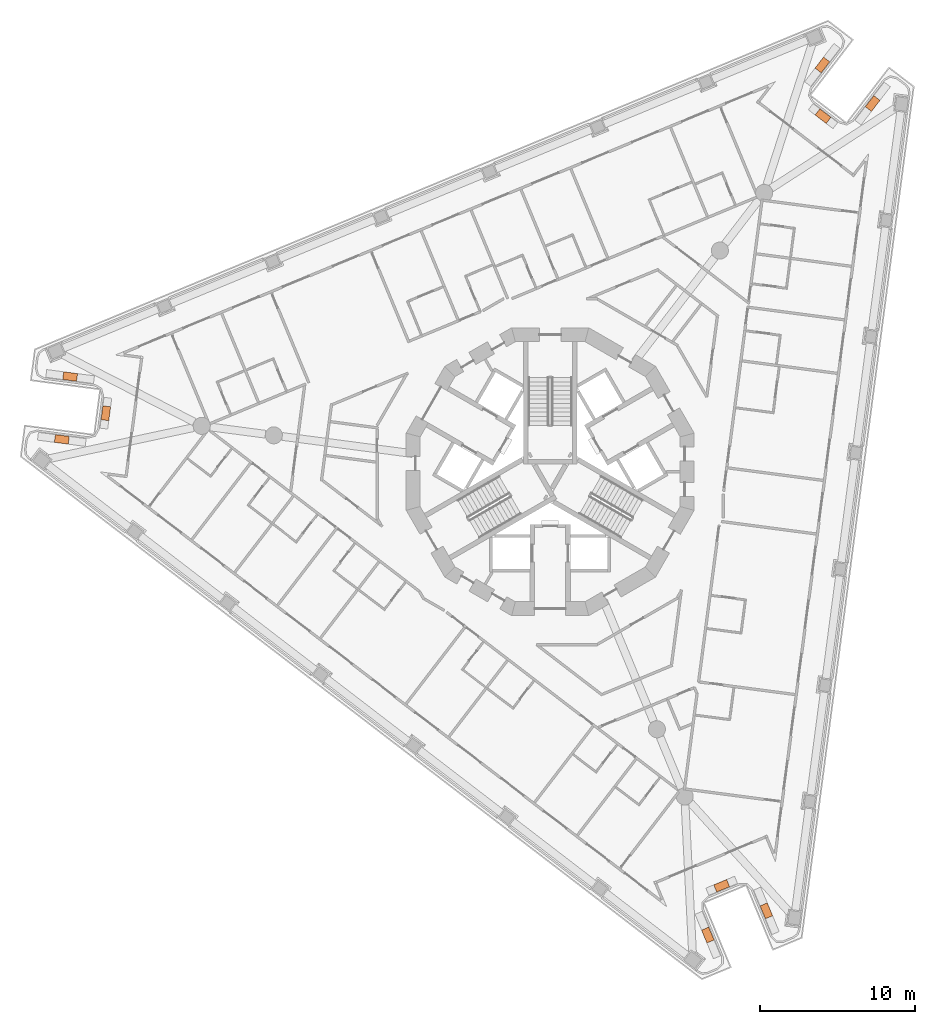
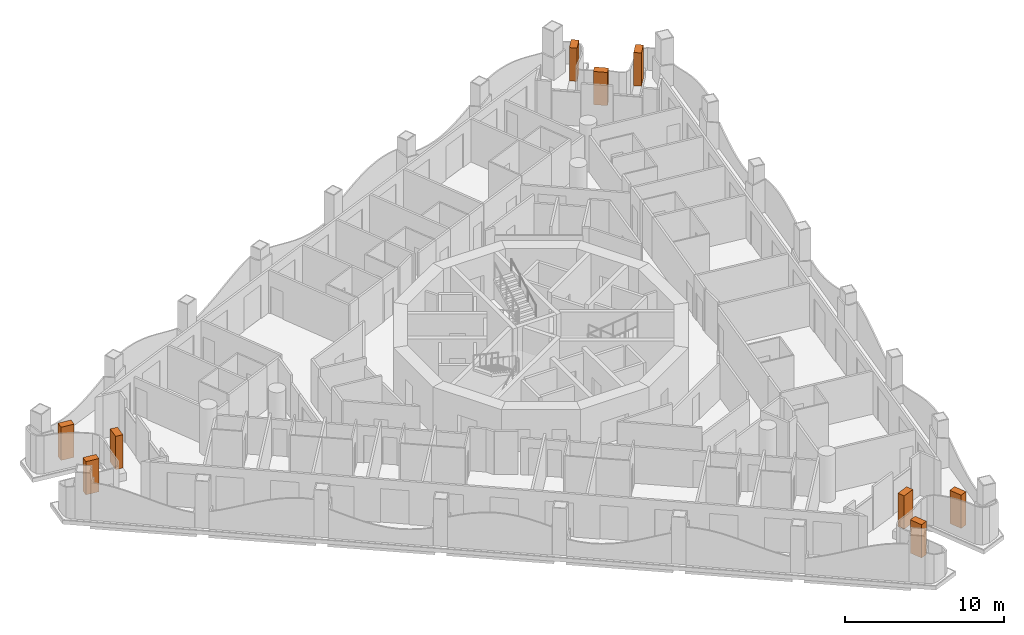
# One storey, part 17 of 17: 9 geographic elements.
"""IFC4 building model written with IfcOpenShell, lengths in metres."""

from ifc_helpers import new_model, si_unit, direction, frame, origin, origin_2d, place, context, subcontext, project, spatial, rectangle, extrude, element, save


model = new_model("IFC4")

# Units and contexts
model_context = context("Model", 3, precision=1e-05, world=origin(), true_north=direction((0.0, 1.0)))
body_context = subcontext(model_context, "Body", "Model", "MODEL_VIEW")
ifc_project = project(units=[si_unit("LENGTHUNIT", "METRE"), si_unit("AREAUNIT", "SQUARE_METRE"), si_unit("VOLUMEUNIT", "CUBIC_METRE"), si_unit("PLANEANGLEUNIT", "RADIAN"), si_unit("MASSUNIT", "GRAM", prefix="KILO")], contexts=[model_context])

# Site, building, storey
site_placement = place(None, origin())
site = spatial("IfcSite", under=ifc_project, at=site_placement, CompositionType="ELEMENT")
building_placement = place(site_placement, origin())
building = spatial("IfcBuilding", under=site, at=building_placement, Name="Trine Commons Tower", CompositionType="ELEMENT")
storey_placement = place(building_placement, frame((0.0, 0.0, 138.60009765625)))
storey = spatial("IfcBuildingStorey", under=building, at=storey_placement, Name="L35", CompositionType="ELEMENT", Elevation=138.60009765625)

# Geographic elements
for number, where, z_axis, x_axis, name in (
    (1, (48.54638671875, 64.58349609375, 0.60009765625), (0.0, 0.0, 1.0), (0.991446455978, -0.130514079426, 0.0), "Tree 1.1"),
    (2, (51.380615234375, 66.267822265625, 0.60009765625), (0.0, 0.0, 1.0), (0.130543496177, 0.991442583111, 0.0), "Tree 2.1"),
    (3, (49.078857421875, 68.62841796875, 0.60009765625), (0.0, 0.0, 1.0), (-0.991446000392, 0.130517540226, 0.0), "Tree 3.1"),
    (4, (97.531005859375, 88.697998046875, 0.60009765625), (0.0, 0.0, 1.0), (-0.608754505672, -0.793358652707, 0.0), "Tree 4.1"),
    (5, (97.57275390625, 85.4013671875, 0.60009765625), (0.0, 0.0, 1.0), (0.793335277627, -0.608784968008, 0.0), "Tree 5.1"),
    (6, (100.767822265625, 86.214111328125, 0.60009765625), (0.0, 0.0, 1.0), (0.6087683523, 0.793348027815, 0.0), "Tree 6.1"),
    (7, (93.922607421875, 34.21875, 0.60009765625), (0.0, 0.0, 1.0), (-0.382694719654, 0.923874857082, 0.0), "Tree 7.1"),
    (8, (91.046630859375, 35.830810546875, 0.60009765625), (0.0, 0.0, 1.0), (-0.923877528773, -0.382688269782, 0.0), "Tree 8.1"),
    (9, (90.153076171875, 32.657470703125, 0.60009765625), (0.0, 0.0, 1.0), (0.382694719654, -0.923874857082, 0.0), "Tree 9.1"),
):
    element("IfcGeographicElement", number, at=place(storey_placement, frame(where, z_axis=z_axis, x_axis=x_axis)), inside=storey, Name=name, ObjectType="TREE Tabebuia rosea", PredefinedType="USERDEFINED", context=body_context, shape_type="SweptSolid", body=[
        extrude(rectangle(XDim=0.89990234375, YDim=0.5, at=origin_2d()), origin(), (0.0, 0.0, 1.0), 2.550048828125),
    ])

save(model, "model.ifc")
